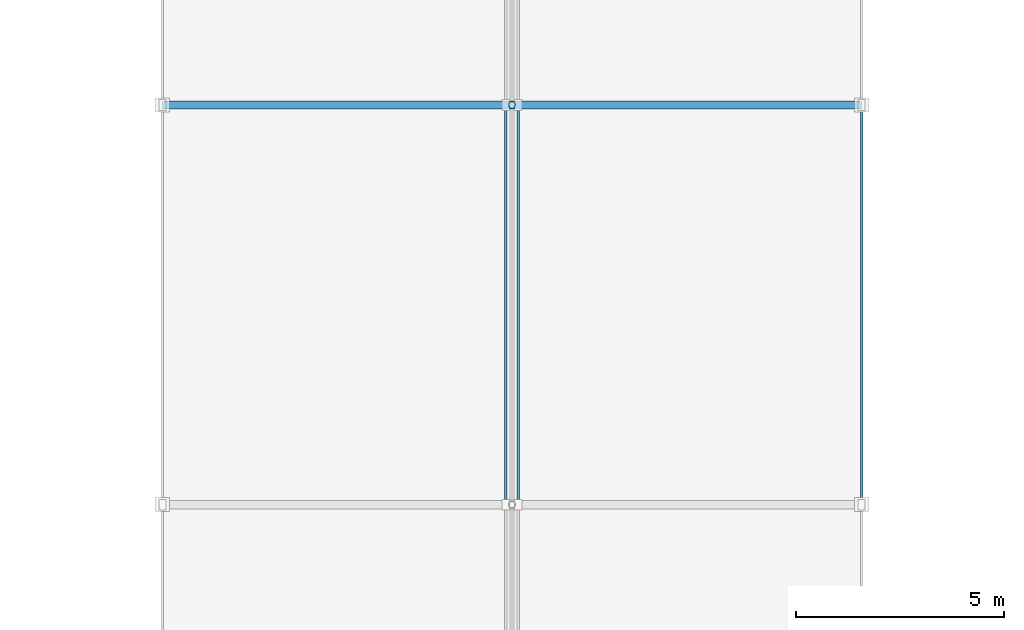
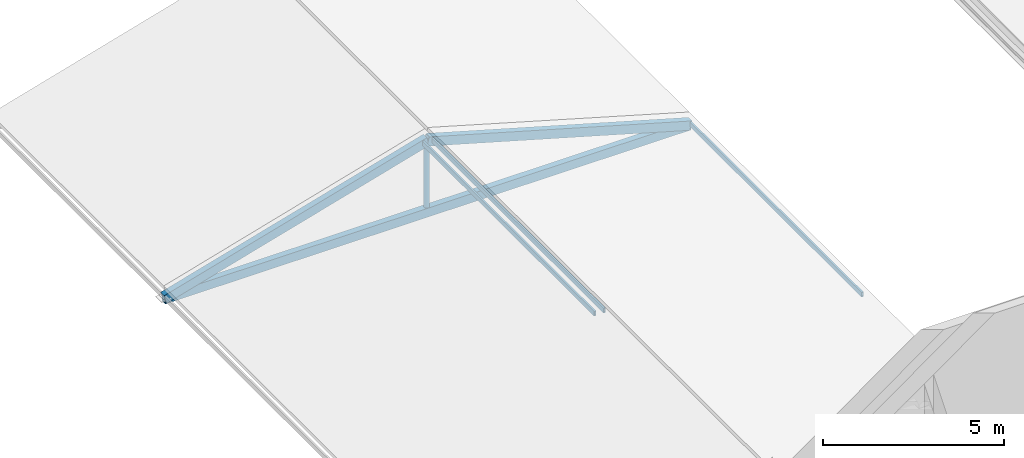
# One storey, part 70 of 130: 7 members.
"""IFC4 building model written with IfcOpenShell, lengths in metres."""

from ifc_helpers import new_model, si_unit, direction, frame, origin, origin_2d, place, context, subcontext, project, spatial, hollow_rectangle, hollow_circle, extrude, material, material_profile, profile_set, type_object, element, save


model = new_model("IFC4")

# Units and contexts
model_context = context("Model", 3, precision=1e-05, world=origin(), true_north=direction((0.0, 1.0)))
body_context = subcontext(model_context, "Body", "Model", "MODEL_VIEW")
ifc_project = project(units=[si_unit("LENGTHUNIT", "METRE"), si_unit("AREAUNIT", "SQUARE_METRE"), si_unit("VOLUMEUNIT", "CUBIC_METRE"), si_unit("PLANEANGLEUNIT", "RADIAN"), si_unit("MASSUNIT", "GRAM", prefix="KILO")], contexts=[model_context])

# Site, building, storey
site_placement = place(None, origin())
site = spatial("IfcSite", under=ifc_project, at=site_placement, CompositionType="ELEMENT")
building_placement = place(site_placement, origin())
building = spatial("IfcBuilding", under=site, at=building_placement, Name="Veltarok Museum of Natural Sciences", CompositionType="ELEMENT")
storey_placement = place(building_placement, frame((0.0, 0.0, 12.89990234375)))
storey = spatial("IfcBuildingStorey", under=building, at=storey_placement, Name="L02", CompositionType="ELEMENT", Elevation=12.89990234375)

# Members
ifc_material_1 = material(Name="Oxide-red painted Steel S355J2", Category="steel")
ifc_material_profile_1 = material_profile(ifc_material_1, hollow_rectangle(XDim=0.199951171875, YDim=0.300048828125, WallThickness=0.012451171875, at=origin_2d()), Name="RHS 300x200x12.5")
ifc_profile_set_1 = profile_set([ifc_material_profile_1], Name="Oxide-red painted Steel S355J2")
member_type_1 = type_object("IfcMemberType", Name="Passage Portal Chord RHS 300x200x12.5", PredefinedType="CHORD", material=ifc_profile_set_1)
member_1_placement = place(storey_placement, frame((31.60009765625, 91.199951171875, -2.099853515625), z_axis=(1.0, 0.0, 0.0), x_axis=(0.0, 1.0, 0.0)))
element("IfcMember", 1, at=member_1_placement, inside=storey, type_object=member_type_1, Name="Passage Portal Tie Chord Y=91.2", PredefinedType="CHORD", context=body_context, shape_type="SweptSolid", body=[
    extrude(hollow_rectangle(XDim=0.199951171875, YDim=0.300048828125, WallThickness=0.012451171875, at=origin_2d()), origin(), (0.0, 0.0, 1.0), 16.7998046875),
])
for number, where, z_axis, x_axis, name in (
    (2, (31.60009765625, 91.199951171875, -2.099853515625), (0.96152605678, 0.0, 0.274713745804), (0.0, 1.0, 0.0), "Passage Portal Chord Y=91.2 1"),
    (3, (40.0, 91.199951171875, 0.300048828125), (0.96152605678, 0.0, -0.274713745804), (0.0, 1.0, 0.0), "Passage Portal Chord Y=91.2 2"),
):
    element("IfcMember", number, at=place(storey_placement, frame(where, z_axis=z_axis, x_axis=x_axis)), inside=storey, type_object=member_type_1, Name=name, PredefinedType="CHORD", context=body_context, shape_type="SweptSolid", body=[
        extrude(hollow_rectangle(XDim=0.199951171875, YDim=0.300048828125, WallThickness=0.012451171875, at=origin_2d()), origin(), (0.0, 0.0, 1.0), 8.736083984375),
    ])
ifc_material_2 = material(Name="Steel S355J2", Category="steel")
ifc_material_profile_2 = material_profile(ifc_material_2, hollow_rectangle(XDim=0.06005859375, YDim=0.159912109375, WallThickness=0.0048828125, at=origin_2d()), Name="RHS 160x60x5")
ifc_profile_set_2 = profile_set([ifc_material_profile_2], Name="Steel S355J2")
member_type_2 = type_object("IfcMemberType", Name="Sawtooth Roof Purlin RHS 160x60x5", PredefinedType="PURLIN", material=ifc_profile_set_2)
for number, where, z_axis, x_axis, name in (
    (4, (39.85009765625, 81.60009765625, 0.300048828125), (0.0, 1.0, 0.0), (-1.0, 0.0, 0.0), "Passage Longitudinal Tie RW J-K"),
    (5, (40.14990234375, 81.60009765625, 0.300048828125), (0.0, 1.0, 0.0), (-1.0, 0.0, 0.0), "Passage Longitudinal Tie RE J-K"),
    (6, (48.39990234375, 81.60009765625, -2.0498046875), (0.0, 1.0, 0.0), (-1.0, 0.0, 0.0), "Passage Longitudinal Tie E J-K"),
):
    element("IfcMember", number, at=place(storey_placement, frame(where, z_axis=z_axis, x_axis=x_axis)), inside=storey, type_object=member_type_2, Name=name, PredefinedType="PURLIN", context=body_context, shape_type="SweptSolid", body=[
        extrude(hollow_rectangle(XDim=0.06005859375, YDim=0.159912109375, WallThickness=0.0048828125, at=origin_2d()), origin(), (0.0, 0.0, 1.0), 9.599853515625),
    ])
ifc_material_profile_3 = material_profile(ifc_material_1, hollow_circle(Radius=0.084228515625, WallThickness=0.008056640625, at=origin_2d()), Name="CHS 168.3x8")
ifc_profile_set_3 = profile_set([ifc_material_profile_3], Name="Oxide-red painted Steel S355J2")
member_type_3 = type_object("IfcMemberType", Name="Sawtooth Truss Vertical Strut CHS 168.3x8", PredefinedType="STRUT", material=ifc_profile_set_3)
member_2_placement = place(storey_placement, frame((40.0, 91.199951171875, -2.099853515625), z_axis=(0.0, 0.0, 1.0), x_axis=(1.0, 0.0, 0.0)))
element("IfcMember", 7, at=member_2_placement, inside=storey, type_object=member_type_3, Name="Passage Portal King-Post Y=91.2", PredefinedType="STRUT", context=body_context, shape_type="SweptSolid", body=[
    extrude(hollow_circle(Radius=0.084228515625, WallThickness=0.008056640625, at=origin_2d()), origin(), (0.0, 0.0, 1.0), 2.39990234375),
])

save(model, "model.ifc")
